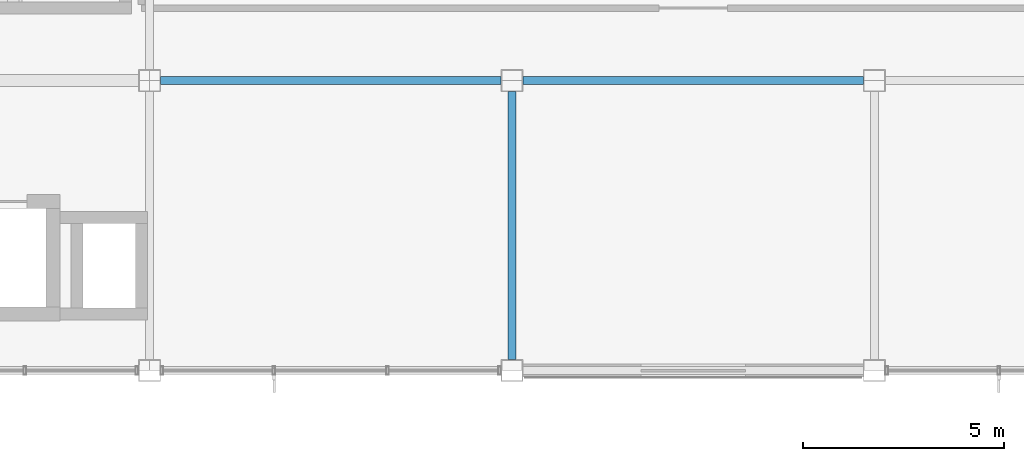
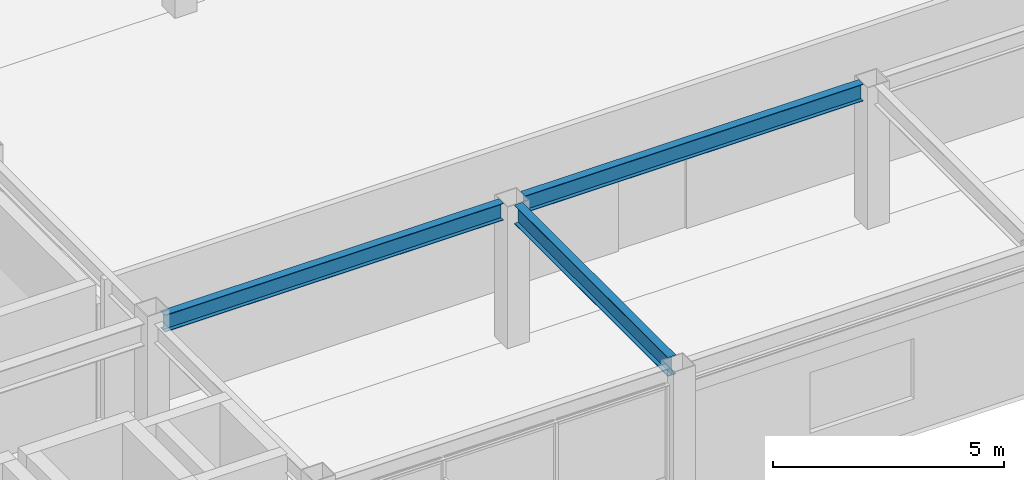
# One storey, part 66 of 113: 3 beams.
"""IFC4 building model written with IfcOpenShell, lengths in metres."""

from ifc_helpers import new_model, si_unit, direction, frame, origin, origin_2d, place, context, subcontext, project, spatial, i_section, extrude, material, material_profile, profile_set, type_object, element, save


model = new_model("IFC4")

# Units and contexts
model_context = context("Model", 3, precision=1e-05, world=origin(), true_north=direction((0.0, 1.0)))
body_context = subcontext(model_context, "Body", "Model", "MODEL_VIEW")
ifc_project = project(units=[si_unit("LENGTHUNIT", "METRE"), si_unit("AREAUNIT", "SQUARE_METRE"), si_unit("VOLUMEUNIT", "CUBIC_METRE"), si_unit("PLANEANGLEUNIT", "RADIAN"), si_unit("MASSUNIT", "GRAM", prefix="KILO")], contexts=[model_context])

# Site, building, storey
site_placement = place(None, origin())
site = spatial("IfcSite", under=ifc_project, at=site_placement, CompositionType="ELEMENT")
building_placement = place(site_placement, origin())
building = spatial("IfcBuilding", under=site, at=building_placement, Name="Kazanami Central Library", CompositionType="ELEMENT")
storey_placement = place(building_placement, frame((0.0, 0.0, 8.800048828125)))
storey = spatial("IfcBuildingStorey", under=building, at=storey_placement, Name="L03", CompositionType="ELEMENT", Elevation=8.800048828125)

# Beams
ifc_material = material(Name="Steel SN490B (325 MPa)", Category="steel")
ifc_material_profile_1 = material_profile(ifc_material, i_section(OverallWidth=0.199951171875, OverallDepth=0.5, WebThickness=0.010009765625, FlangeThickness=0.01611328125, at=origin_2d()), Name="H-500x200x10x16")
ifc_profile_set_1 = profile_set([ifc_material_profile_1], Name="Steel SN490B (325 MPa)")
beam_type_1 = type_object("IfcBeamType", Name="BM-G-Y2", PredefinedType="BEAM", material=ifc_profile_set_1)
beam_placement = place(storey_placement, frame((72.0, 65.072998046875, 3.494873046875), z_axis=(0.0, 1.0, 0.0), x_axis=(-1.0, 0.0, 0.0)))
element("IfcBeam", 1, at=beam_placement, inside=storey, type_object=beam_type_1, Name="Girder G-Y2 L03 9/K-L", PredefinedType="BEAM", context=body_context, shape_type="SweptSolid", body=[
    extrude(i_section(OverallWidth=0.199951171875, OverallDepth=0.5, WebThickness=0.010009765625, FlangeThickness=0.01611328125, at=origin_2d()), origin(), (0.0, 0.0, 1.0), 6.654052734375),
])
ifc_material_profile_2 = material_profile(ifc_material, i_section(OverallWidth=0.199951171875, OverallDepth=0.449951171875, WebThickness=0.009033203125, FlangeThickness=0.013916015625, at=origin_2d()), Name="H-450x200x9x14")
ifc_profile_set_2 = profile_set([ifc_material_profile_2], Name="Steel SN490B (325 MPa)")
beam_type_2 = type_object("IfcBeamType", Name="BM-SP-2", PredefinedType="SPANDREL", material=ifc_profile_set_2)
for number, where, z_axis, x_axis, name in (
    (2, (63.27294921875, 72.0, 3.52001953125), (1.0, 0.0, 0.0), (0.0, 1.0, 0.0), "Girder SP-2 L03 L/8-9"),
    (3, (72.27294921875, 72.0, 3.52001953125), (1.0, 0.0, 0.0), (0.0, 1.0, 0.0), "Girder SP-2 L03 L/9-10"),
):
    element("IfcBeam", number, at=place(storey_placement, frame(where, z_axis=z_axis, x_axis=x_axis)), inside=storey, type_object=beam_type_2, Name=name, PredefinedType="SPANDREL", context=body_context, shape_type="SweptSolid", body=[
        extrude(i_section(OverallWidth=0.199951171875, OverallDepth=0.449951171875, WebThickness=0.009033203125, FlangeThickness=0.013916015625, at=origin_2d()), origin(), (0.0, 0.0, 1.0), 8.4541015625),
    ])

save(model, "model.ifc")
